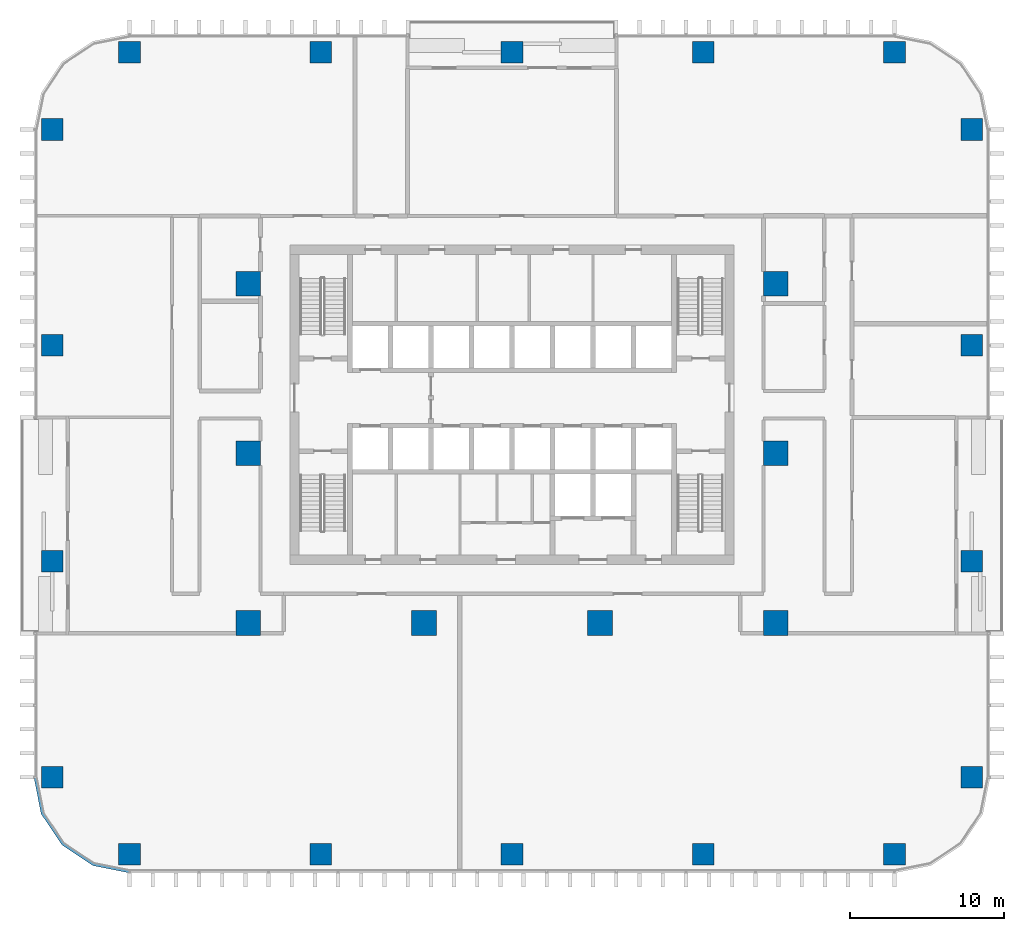
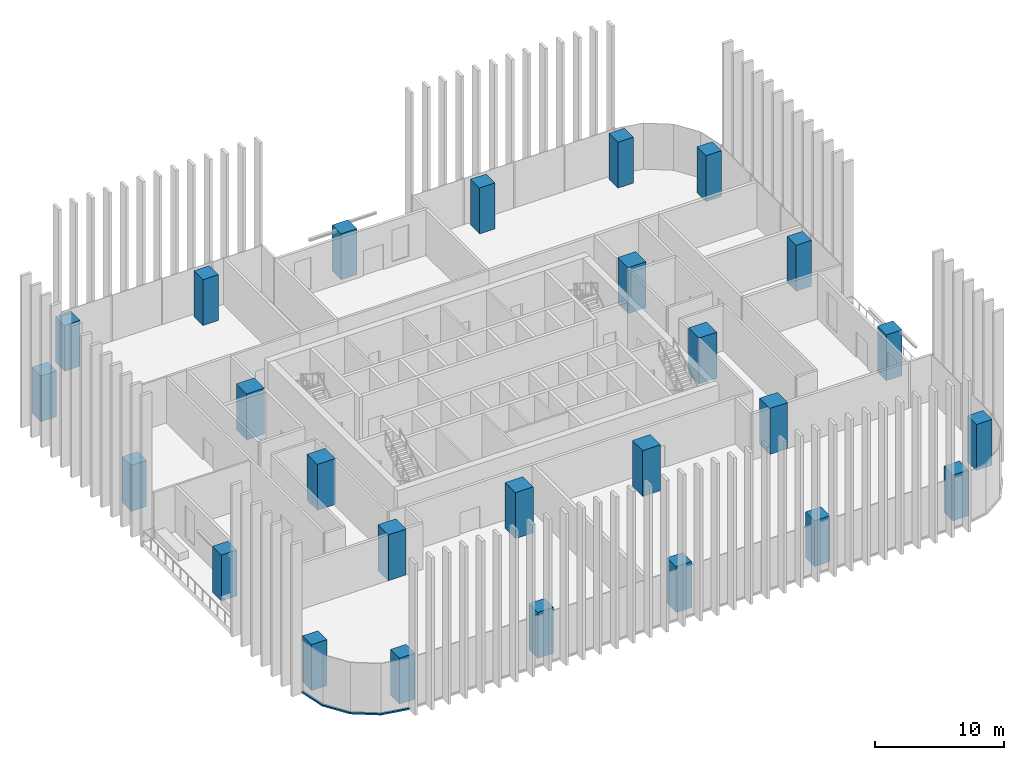
# One storey, part 1 of 17: 26 columns, 1 member, 1 element without a shape of its own.
"""IFC4 building model written with IfcOpenShell, lengths in metres."""

from ifc_helpers import new_model, si_unit, direction, frame, origin, origin_2d, place, context, subcontext, project, spatial, polyline, rectangle, outline, extrude, material, material_profile, profile_set, type_object, element, aggregate, save


model = new_model("IFC4")

# Units and contexts
model_context = context("Model", 3, precision=1e-05, world=origin(), true_north=direction((0.0, 1.0)))
body_context = subcontext(model_context, "Body", "Model", "MODEL_VIEW")
ifc_project = project(units=[si_unit("LENGTHUNIT", "METRE"), si_unit("AREAUNIT", "SQUARE_METRE"), si_unit("VOLUMEUNIT", "CUBIC_METRE"), si_unit("PLANEANGLEUNIT", "RADIAN"), si_unit("MASSUNIT", "GRAM", prefix="KILO")], contexts=[model_context])

# Site, building, storey
site_placement = place(None, origin())
site = spatial("IfcSite", under=ifc_project, at=site_placement, CompositionType="ELEMENT")
building_placement = place(site_placement, origin())
building = spatial("IfcBuilding", under=site, at=building_placement, Name="Mopane Tessera Tower", CompositionType="ELEMENT")
storey_placement = place(building_placement, frame((0.0, 0.0, 45.39990234375)))
storey = spatial("IfcBuildingStorey", under=building, at=storey_placement, Name="L08", CompositionType="ELEMENT", Elevation=45.39990234375)

# Columns
ifc_material_1 = material(Name="Concrete C60/75", Category="concrete")
ifc_material_profile_1 = material_profile(ifc_material_1, rectangle(XDim=1.60009765625, YDim=1.60009765625, at=origin_2d()))
ifc_profile_set_1 = profile_set([ifc_material_profile_1], Name="Concrete C60/75")
column_type_1 = type_object("IfcColumnType", Name="Interior column 1600 x 1600 C60/75", PredefinedType="COLUMN", material=ifc_profile_set_1)
for number, where, z_axis, x_axis, name in (
    (1, (-17.10009765625, -11.0, 0.0), (0.0, 0.0, 1.0), (1.0, 0.0, 0.0), "Interior column I1A L08"),
    (2, (-17.10009765625, 0.0, 0.0), (0.0, 0.0, 1.0), (1.0, 0.0, 0.0), "Interior column I1B L08"),
    (3, (-17.10009765625, 11.0, 0.0), (0.0, 0.0, 1.0), (1.0, 0.0, 0.0), "Interior column I1C L08"),
    (4, (-5.699951171875, -11.0, 0.0), (0.0, 0.0, 1.0), (1.0, 0.0, 0.0), "Interior column I2A L08"),
    (5, (5.699951171875, -11.0, 0.0), (0.0, 0.0, 1.0), (1.0, 0.0, 0.0), "Interior column I3A L08"),
    (6, (17.10009765625, -11.0, 0.0), (0.0, 0.0, 1.0), (1.0, 0.0, 0.0), "Interior column I4A L08"),
    (7, (17.10009765625, 0.0, 0.0), (0.0, 0.0, 1.0), (1.0, 0.0, 0.0), "Interior column I4B L08"),
    (8, (17.10009765625, 11.0, 0.0), (0.0, 0.0, 1.0), (1.0, 0.0, 0.0), "Interior column I4C L08"),
):
    element("IfcColumn", number, at=place(storey_placement, frame(where, z_axis=z_axis, x_axis=x_axis)), inside=storey, type_object=column_type_1, Name=name, PredefinedType="COLUMN", context=body_context, shape_type="SweptSolid", body=[
        extrude(rectangle(XDim=1.60009765625, YDim=1.60009765625, at=origin_2d()), origin(), (0.0, 0.0, 1.0), 4.35009765625),
    ])
ifc_material_2 = material(Name="Concrete C60/75", Category="concrete")
ifc_material_profile_2 = material_profile(ifc_material_2, rectangle(XDim=1.39990234375, YDim=1.39990234375, at=origin_2d()))
ifc_profile_set_2 = profile_set([ifc_material_profile_2], Name="Concrete C60/75")
column_type_2 = type_object("IfcColumnType", Name="Ring column 1400 x 1400 C60/75", PredefinedType="COLUMN", material=ifc_profile_set_2)
for number, where, z_axis, x_axis, name in (
    (9, (-24.800048828125, -26.0, 0.0), (0.0, 0.0, 1.0), (1.0, 0.0, 0.0), "Ring column S0 L08"),
    (10, (-12.39990234375, -26.0, 0.0), (0.0, 0.0, 1.0), (1.0, 0.0, 0.0), "Ring column S1 L08"),
    (11, (0.0, -26.0, 0.0), (0.0, 0.0, 1.0), (1.0, 0.0, 0.0), "Ring column S2 L08"),
    (12, (12.39990234375, -26.0, 0.0), (0.0, 0.0, 1.0), (1.0, 0.0, 0.0), "Ring column S3 L08"),
    (13, (24.800048828125, -26.0, 0.0), (0.0, 0.0, 1.0), (1.0, 0.0, 0.0), "Ring column S4 L08"),
    (14, (29.800048828125, -21.0, 0.0), (0.0, 0.0, 1.0), (1.0, 0.0, 0.0), "Ring column E0 L08"),
    (15, (29.800048828125, -7.0, 0.0), (0.0, 0.0, 1.0), (1.0, 0.0, 0.0), "Ring column E1 L08"),
    (16, (29.800048828125, 7.0, 0.0), (0.0, 0.0, 1.0), (1.0, 0.0, 0.0), "Ring column E2 L08"),
    (17, (29.800048828125, 21.0, 0.0), (0.0, 0.0, 1.0), (1.0, 0.0, 0.0), "Ring column E3 L08"),
    (18, (24.800048828125, 26.0, 0.0), (0.0, 0.0, 1.0), (1.0, 0.0, 0.0), "Ring column N0 L08"),
    (19, (12.39990234375, 26.0, 0.0), (0.0, 0.0, 1.0), (1.0, 0.0, 0.0), "Ring column N1 L08"),
    (20, (0.0, 26.0, 0.0), (0.0, 0.0, 1.0), (1.0, 0.0, 0.0), "Ring column N2 L08"),
    (21, (-12.39990234375, 26.0, 0.0), (0.0, 0.0, 1.0), (1.0, 0.0, 0.0), "Ring column N3 L08"),
    (22, (-24.800048828125, 26.0, 0.0), (0.0, 0.0, 1.0), (1.0, 0.0, 0.0), "Ring column N4 L08"),
    (23, (-29.800048828125, 21.0, 0.0), (0.0, 0.0, 1.0), (1.0, 0.0, 0.0), "Ring column W0 L08"),
    (24, (-29.800048828125, 7.0, 0.0), (0.0, 0.0, 1.0), (1.0, 0.0, 0.0), "Ring column W1 L08"),
    (25, (-29.800048828125, -7.0, 0.0), (0.0, 0.0, 1.0), (1.0, 0.0, 0.0), "Ring column W2 L08"),
    (26, (-29.800048828125, -21.0, 0.0), (0.0, 0.0, 1.0), (1.0, 0.0, 0.0), "Ring column W3 L08"),
):
    element("IfcColumn", number, at=place(storey_placement, frame(where, z_axis=z_axis, x_axis=x_axis)), inside=storey, type_object=column_type_2, Name=name, PredefinedType="COLUMN", context=body_context, shape_type="SweptSolid", body=[
        extrude(rectangle(XDim=1.39990234375, YDim=1.39990234375, at=origin_2d()), origin(), (0.0, 0.0, 1.0), 4.35009765625),
    ])

# Curtain wall, member
ifc_material_3 = material(Name="Aluminium frame", Category="aluminium")
curtain_wall_type = type_object("IfcCurtainWallType", Name="Lower tower unitised wall", PredefinedType="NOTDEFINED", material=ifc_material_3)
curtain_wall_placement = place(storey_placement, origin())
curtain_wall = element("IfcCurtainWall", 27, at=curtain_wall_placement, inside=storey, type_object=curtain_wall_type, Name="e:cw:L08:CW", PredefinedType="NOTDEFINED")
ifc_material_4 = material(Name="Aluminium frame", Category="aluminium")
ifc_material_profile_3 = material_profile(ifc_material_4, rectangle(XDim=0.199951171875, YDim=0.139892578125, at=origin_2d()))
ifc_profile_set_3 = profile_set([ifc_material_profile_3], Name="Aluminium frame")
member_type = type_object("IfcMemberType", Name="Aluminium transom 200 x 140", PredefinedType="USERDEFINED", material=ifc_profile_set_3)
member_placement = place(storey_placement, frame((0.0, 0.0, -0.449951171875)))
member = element("IfcMember", 28, at=member_placement, type_object=member_type, Name="e:cw:L08:CW:tr", ObjectType="TRANSOM", PredefinedType="USERDEFINED", context=body_context, shape_type="SweptSolid", body=[
    extrude(outline(polyline([(-30.800048828125, -21.0), (-30.34326171875, -23.296142578125), (-29.042724609375, -25.24267578125), (-27.09619140625, -26.543212890625), (-24.800048828125, -27.0), (-24.800048828125, -27.199951171875), (-27.172607421875, -26.72802734375), (-29.18408203125, -25.384033203125), (-30.528076171875, -23.37255859375), (-31.0, -21.0), (-30.800048828125, -21.0)])), origin(), (0.0, 0.0, 1.0), 0.14013671875),
])
aggregate(curtain_wall, [member])

save(model, "model.ifc")
